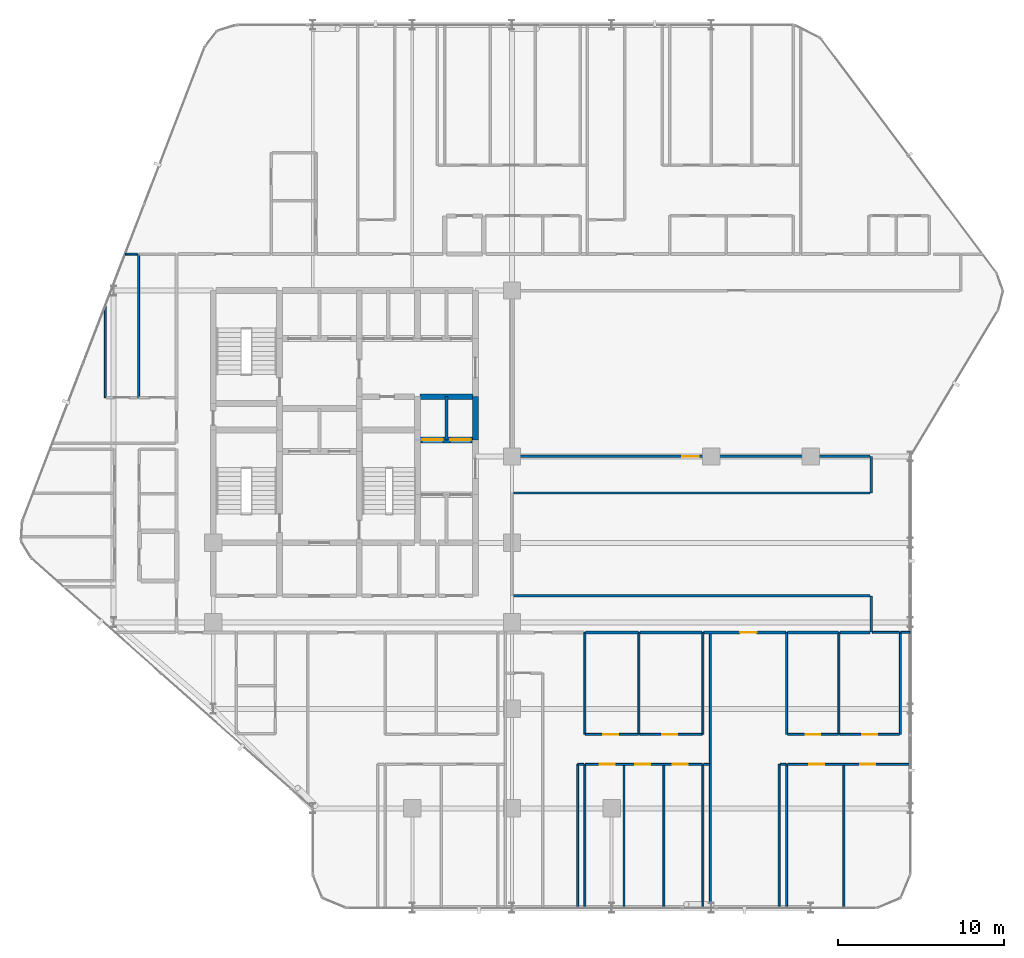
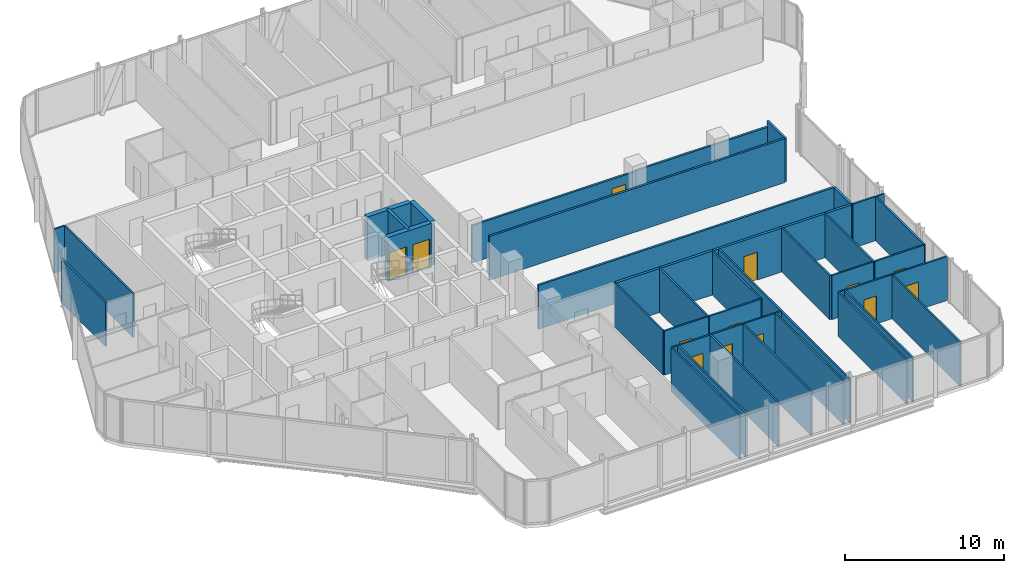
# One storey, part 25 of 29: 44 walls, 13 doors, 13 openings.
"""IFC4 building model written with IfcOpenShell, lengths in metres."""

from ifc_helpers import new_model, si_unit, direction, frame, frame_2d, origin, place, context, subcontext, project, spatial, rectangle, extrude, material, layer, layer_set, type_object, element, fill, save


model = new_model("IFC4")

# Units and contexts
model_context = context("Model", 3, precision=1e-05, world=origin(), true_north=direction((0.0, 1.0)))
body_context = subcontext(model_context, "Body", "Model", "MODEL_VIEW")
ifc_project = project(units=[si_unit("LENGTHUNIT", "METRE"), si_unit("AREAUNIT", "SQUARE_METRE"), si_unit("VOLUMEUNIT", "CUBIC_METRE"), si_unit("PLANEANGLEUNIT", "RADIAN"), si_unit("MASSUNIT", "GRAM", prefix="KILO")], contexts=[model_context])

# Site, building, storey
site_placement = place(None, origin())
site = spatial("IfcSite", under=ifc_project, at=site_placement, CompositionType="ELEMENT")
building_placement = place(site_placement, origin())
building = spatial("IfcBuilding", under=site, at=building_placement, Name="Keshet Zoharim Tower", CompositionType="ELEMENT")
storey_placement = place(building_placement, frame((0.0, 0.0, 102.0)))
storey = spatial("IfcBuildingStorey", under=building, at=storey_placement, Name="L24", CompositionType="ELEMENT", Elevation=102.0)

# Walls
ifc_material_1 = material(Name="Gypsum Plasterboard", Category="gypsum")
ifc_layer_1 = layer(ifc_material_1, 0.14990234375)
ifc_layer_set_1 = layer_set([ifc_layer_1], Name="Gypsum Plasterboard")
wall_type_1 = type_object("IfcWallType", Name="WL-CLIN-150", PredefinedType="STANDARD", material=ifc_layer_set_1)
wall_1_placement = place(storey_placement, frame((54.64990234375, 17.31005859375, 0.0), z_axis=(0.0, 0.0, 1.0), x_axis=(0.0, 1.0, 0.0)))
element("IfcWall", 1, at=wall_1_placement, inside=storey, type_object=wall_type_1, Name="L24 Interior Wall 111", PredefinedType="STANDARD", context=body_context, shape_type="SweptSolid", body=[
    extrude(rectangle(XDim=2.18994140625, YDim=0.14990234375, at=frame_2d((1.094970703125, 0.0))), origin(), (0.0, 0.0, 1.0), 3.385009765625),
])
wall_2_placement = place(storey_placement, frame((54.64990234375, 25.699951171875, 0.0), z_axis=(0.0, 0.0, 1.0), x_axis=(0.0, 1.0, 0.0)))
element("IfcWall", 2, at=wall_2_placement, inside=storey, type_object=wall_type_1, Name="L24 Interior Wall 112", PredefinedType="STANDARD", context=body_context, shape_type="SweptSolid", body=[
    extrude(rectangle(XDim=2.199951171875, YDim=0.14990234375, at=frame_2d((1.10009765625, 0.0))), origin(), (0.0, 0.0, 1.0), 3.385009765625),
])
for number, where, z_axis, x_axis, name in (
    (3, (33.070068359375, 19.5, 0.0), (0.0, 0.0, 1.0), (1.0, 0.0, 0.0), "L24 Interior Wall 153"),
    (4, (33.070068359375, 25.699951171875, 0.0), (0.0, 0.0, 1.0), (1.0, 0.0, 0.0), "L24 Interior Wall 167"),
):
    element("IfcWall", number, at=place(storey_placement, frame(where, z_axis=z_axis, x_axis=x_axis)), inside=storey, type_object=wall_type_1, Name=name, PredefinedType="STANDARD", context=body_context, shape_type="SweptSolid", body=[
        extrude(rectangle(XDim=21.510009765625, YDim=0.14990234375, at=frame_2d((10.7548828125, 0.0))), origin(), (0.0, 0.0, 1.0), 3.385009765625),
    ])

# Wall, opening, door
wall_3_placement = place(storey_placement, frame((33.070068359375, 27.89990234375, 0.0), z_axis=(0.0, 0.0, 1.0), x_axis=(1.0, 0.0, 0.0)))
wall_3 = element("IfcWall", 5, at=wall_3_placement, inside=storey, type_object=wall_type_1, Name="L24 Interior Wall 168", PredefinedType="STANDARD", context=body_context, shape_type="SweptSolid", body=[
    extrude(rectangle(XDim=11.929931640625, YDim=0.14990234375, at=frame_2d((5.96484375, 0.0))), origin(), (0.0, 0.0, 1.0), 2.885009765625),
])
opening_1_placement = place(wall_3_placement, frame((10.18505859375, 0.0, 0.0)))
opening_1 = element("IfcOpeningElement", 6, at=opening_1_placement, cuts=wall_3, Name="Opening D-F310", PredefinedType="OPENING", context=body_context, shape_type="SweptSolid", body=[
    extrude(rectangle(XDim=1.0, YDim=2.14990234375, at=frame_2d((0.5, 1.074951171875))), frame((0.0, 0.0849609375, 0.0), z_axis=(0.0, -1.0, 0.0), x_axis=(1.0, 0.0, 0.0)), (0.0, 0.0, 1.0), 0.169921875),
])
ifc_material_2 = material(Name="Hardwood Timber", Category="wood")
door_type_1 = type_object("IfcDoorType", Name="DR-FD30-100", OperationType="NOTDEFINED", PredefinedType="DOOR", material=ifc_material_2)
door_1_placement = place(opening_1_placement, origin())
door_1 = element("IfcDoor", 7, at=door_1_placement, inside=storey, type_object=door_type_1, Name="L24 North East Residents Services Suite Door 2", OperationType="SINGLE_SWING_RIGHT", OverallHeight=2.14990234375, OverallWidth=1.0, PredefinedType="DOOR", context=body_context, shape_type="SweptSolid", body=[
    extrude(rectangle(XDim=1.0, YDim=2.14990234375, at=frame_2d((0.5, 1.074951171875))), frame((0.0, 0.02490234375, 0.0), z_axis=(0.0, -1.0, 0.0), x_axis=(1.0, 0.0, 0.0)), (0.0, 0.0, 1.0), 0.050048828125),
])
fill(opening_1, door_1)

# Walls
wall_4_placement = place(storey_placement, frame((45.0, 27.89990234375, 0.0), z_axis=(0.0, 0.0, 1.0), x_axis=(1.0, 0.0, 0.0)))
element("IfcWall", 8, at=wall_4_placement, inside=storey, type_object=wall_type_1, Name="L24 Interior Wall 168 Part 2", PredefinedType="STANDARD", context=body_context, shape_type="SweptSolid", body=[
    extrude(rectangle(XDim=9.580078125, YDim=0.14990234375, at=frame_2d((4.7900390625, 0.0))), origin(), (0.0, 0.0, 1.0), 2.93505859375),
])
ifc_material_3 = material(Name="Concrete C60/75", Category="concrete")
ifc_layer_2 = layer(ifc_material_3, 0.35009765625)
ifc_layer_set_2 = layer_set([ifc_layer_2], Name="Concrete C60/75")
wall_type_2 = type_object("IfcWallType", Name="WL-CORE-350", PredefinedType="SHEAR", material=ifc_layer_set_2)
wall_5_placement = place(storey_placement, frame((30.800048828125, 28.89990234375, 0.0), z_axis=(0.0, 0.0, 1.0), x_axis=(0.0, 1.0, 0.0)))
element("IfcWall", 9, at=wall_5_placement, inside=storey, type_object=wall_type_2, Name="L24 Core Shear Wall 065", PredefinedType="SHEAR", context=body_context, shape_type="SweptSolid", body=[
    extrude(rectangle(XDim=2.60009765625, YDim=0.35009765625, at=frame_2d((1.300048828125, 0.0))), origin(), (0.0, 0.0, 1.0), 3.385009765625),
])

# Wall, openings, doors
wall_6_placement = place(storey_placement, frame((27.4599609375, 28.89990234375, 0.0), z_axis=(0.0, 0.0, 1.0), x_axis=(1.0, 0.0, 0.0)))
wall_6 = element("IfcWall", 10, at=wall_6_placement, inside=storey, type_object=wall_type_2, Name="L24 Core Shear Wall 174", PredefinedType="SHEAR", context=body_context, shape_type="SweptSolid", body=[
    extrude(rectangle(XDim=3.179931640625, YDim=0.35009765625, at=frame_2d((1.58984375, 0.0))), origin(), (0.0, 0.0, 1.0), 3.385009765625),
])
opening_2_placement = place(wall_6_placement, frame((0.1201171875, 0.0, 0.0)))
opening_2 = element("IfcOpeningElement", 11, at=opening_2_placement, cuts=wall_6, Name="Opening LD-01", PredefinedType="OPENING", context=body_context, shape_type="SweptSolid", body=[
    extrude(rectangle(XDim=1.25, YDim=2.199951171875, at=frame_2d((0.625, 1.10009765625))), frame((0.0, 0.18505859375, 0.0), z_axis=(0.0, -1.0, 0.0), x_axis=(1.0, 0.0, 0.0)), (0.0, 0.0, 1.0), 0.3701171875),
])
opening_3_placement = place(wall_6_placement, frame((1.81005859375, 0.0, 0.0)))
opening_3 = element("IfcOpeningElement", 12, at=opening_3_placement, cuts=wall_6, Name="Opening LD-01", PredefinedType="OPENING", context=body_context, shape_type="SweptSolid", body=[
    extrude(rectangle(XDim=1.25, YDim=2.199951171875, at=frame_2d((0.625, 1.10009765625))), frame((0.0, 0.18505859375, 0.0), z_axis=(0.0, -1.0, 0.0), x_axis=(1.0, 0.0, 0.0)), (0.0, 0.0, 1.0), 0.3701171875),
])
ifc_material_4 = material(Name="Steel S355", Category="steel")
door_type_2 = type_object("IfcDoorType", Name="DR-LD01-125", OperationType="DOUBLE_DOOR_SLIDING", PredefinedType="DOOR", material=ifc_material_4)
door_2_placement = place(opening_2_placement, origin())
door_2 = element("IfcDoor", 13, at=door_2_placement, inside=storey, type_object=door_type_2, Name="L24 Passenger Lift Landing Door LF-05", OperationType="DOUBLE_DOOR_SLIDING", OverallHeight=2.199951171875, OverallWidth=1.25, PredefinedType="DOOR", context=body_context, shape_type="SweptSolid", body=[
    extrude(rectangle(XDim=1.25, YDim=2.199951171875, at=frame_2d((0.625, 1.10009765625))), frame((0.0, 0.02490234375, 0.0), z_axis=(0.0, -1.0, 0.0), x_axis=(1.0, 0.0, 0.0)), (0.0, 0.0, 1.0), 0.050048828125),
])
fill(opening_2, door_2)
door_3_placement = place(opening_3_placement, origin())
door_3 = element("IfcDoor", 14, at=door_3_placement, inside=storey, type_object=door_type_2, Name="L24 Passenger Lift Landing Door LF-06", OperationType="DOUBLE_DOOR_SLIDING", OverallHeight=2.199951171875, OverallWidth=1.25, PredefinedType="DOOR", context=body_context, shape_type="SweptSolid", body=[
    extrude(rectangle(XDim=1.25, YDim=2.199951171875, at=frame_2d((0.625, 1.10009765625))), frame((0.0, 0.02490234375, 0.0), z_axis=(0.0, -1.0, 0.0), x_axis=(1.0, 0.0, 0.0)), (0.0, 0.0, 1.0), 0.050048828125),
])
fill(opening_3, door_3)

# Walls
wall_7_placement = place(storey_placement, frame((27.4599609375, 31.5, 0.0), z_axis=(0.0, 0.0, 1.0), x_axis=(1.0, 0.0, 0.0)))
element("IfcWall", 15, at=wall_7_placement, inside=storey, type_object=wall_type_2, Name="L24 Core Shear Wall 182", PredefinedType="SHEAR", context=body_context, shape_type="SweptSolid", body=[
    extrude(rectangle(XDim=3.179931640625, YDim=0.35009765625, at=frame_2d((1.58984375, 0.0))), origin(), (0.0, 0.0, 1.0), 3.385009765625),
])
ifc_layer_3 = layer(ifc_material_1, 0.179931640625)
ifc_layer_set_3 = layer_set([ifc_layer_3], Name="Gypsum Plasterboard")
wall_type_3 = type_object("IfcWallType", Name="WL-CORR-180", PredefinedType="STANDARD", material=ifc_layer_set_3)
wall_8_placement = place(storey_placement, frame((37.425048828125, 17.300048828125, 0.0), z_axis=(0.0, 0.0, 1.0), x_axis=(1.0, 0.0, 0.0)))
element("IfcWall", 16, at=wall_8_placement, inside=storey, type_object=wall_type_3, Name="L24 Interior Wall 142", PredefinedType="STANDARD", context=body_context, shape_type="SweptSolid", body=[
    extrude(rectangle(XDim=3.18994140625, YDim=0.179931640625, at=frame_2d((1.594970703125, 0.0))), origin(), (0.0, 0.0, 1.0), 3.385009765625),
])
wall_9_placement = place(storey_placement, frame((40.705078125, 17.300048828125, 0.0), z_axis=(0.0, 0.0, 1.0), x_axis=(1.0, 0.0, 0.0)))
element("IfcWall", 17, at=wall_9_placement, inside=storey, type_object=wall_type_3, Name="L24 Interior Wall 143", PredefinedType="STANDARD", context=body_context, shape_type="SweptSolid", body=[
    extrude(rectangle(XDim=3.760009765625, YDim=0.179931640625, at=frame_2d((1.8798828125, 0.0))), origin(), (0.0, 0.0, 1.0), 3.385009765625),
])

# Wall, opening, door
wall_10_placement = place(storey_placement, frame((44.554931640625, 17.300048828125, 0.0), z_axis=(0.0, 0.0, 1.0), x_axis=(1.0, 0.0, 0.0)))
wall_10 = element("IfcWall", 18, at=wall_10_placement, inside=storey, type_object=wall_type_3, Name="L24 Interior Wall 144", PredefinedType="STANDARD", context=body_context, shape_type="SweptSolid", body=[
    extrude(rectangle(XDim=4.969970703125, YDim=0.179931640625, at=frame_2d((2.48486328125, 0.0))), origin(), (0.0, 0.0, 1.0), 3.385009765625),
])
opening_4_placement = place(wall_10_placement, frame((2.18505859375, 0.0, 0.0)))
opening_4 = element("IfcOpeningElement", 19, at=opening_4_placement, cuts=wall_10, Name="Opening D-F310", PredefinedType="OPENING", context=body_context, shape_type="SweptSolid", body=[
    extrude(rectangle(XDim=1.0, YDim=2.14990234375, at=frame_2d((0.5, 1.074951171875))), frame((0.0, 0.10009765625, 0.0), z_axis=(0.0, -1.0, 0.0), x_axis=(1.0, 0.0, 0.0)), (0.0, 0.0, 1.0), 0.199951171875),
])
door_4_placement = place(opening_4_placement, origin())
door_4 = element("IfcDoor", 20, at=door_4_placement, inside=storey, type_object=door_type_1, Name="Apartment 2404 Entrance Door", OperationType="SINGLE_SWING_LEFT", OverallHeight=2.14990234375, OverallWidth=1.0, PredefinedType="DOOR", context=body_context, shape_type="SweptSolid", body=[
    extrude(rectangle(XDim=1.0, YDim=2.14990234375, at=frame_2d((0.5, 1.074951171875))), frame((0.0, 0.02490234375, 0.0), z_axis=(0.0, -1.0, 0.0), x_axis=(1.0, 0.0, 0.0)), (0.0, 0.0, 1.0), 0.050048828125),
])
fill(opening_4, door_4)

# Walls
wall_11_placement = place(storey_placement, frame((49.614990234375, 17.300048828125, 0.0), z_axis=(0.0, 0.0, 1.0), x_axis=(1.0, 0.0, 0.0)))
element("IfcWall", 21, at=wall_11_placement, inside=storey, type_object=wall_type_3, Name="L24 Interior Wall 145", PredefinedType="STANDARD", context=body_context, shape_type="SweptSolid", body=[
    extrude(rectangle(XDim=3.047119140625, YDim=0.179931640625, at=frame_2d((1.5234375, 0.0))), origin(), (0.0, 0.0, 1.0), 3.385009765625),
])
wall_12_placement = place(storey_placement, frame((52.751953125, 17.300048828125, 0.0), z_axis=(0.0, 0.0, 1.0), x_axis=(1.0, 0.0, 0.0)))
element("IfcWall", 22, at=wall_12_placement, inside=storey, type_object=wall_type_3, Name="L24 Interior Wall 146", PredefinedType="STANDARD", context=body_context, shape_type="SweptSolid", body=[
    extrude(rectangle(XDim=1.828125, YDim=0.179931640625, at=frame_2d((0.9140625, 0.0))), origin(), (0.0, 0.0, 1.0), 3.385009765625),
])
ifc_material_5 = material(Name="Concrete C50/60", Category="concrete")
ifc_layer_4 = layer(ifc_material_5, 0.199951171875)
ifc_layer_set_4 = layer_set([ifc_layer_4], Name="Concrete C50/60")
wall_type_4 = type_object("IfcWallType", Name="WL-FIRE-200", PredefinedType="STANDARD", material=ifc_layer_set_4)
wall_13_placement = place(storey_placement, frame((29.050048828125, 28.89990234375, 0.0), z_axis=(0.0, 0.0, 1.0), x_axis=(0.0, 1.0, 0.0)))
element("IfcWall", 23, at=wall_13_placement, inside=storey, type_object=wall_type_4, Name="L24 Interior Wall 060", PredefinedType="STANDARD", context=body_context, shape_type="SweptSolid", body=[
    extrude(rectangle(XDim=2.60009765625, YDim=0.199951171875, at=frame_2d((1.300048828125, 0.0))), origin(), (0.0, 0.0, 1.0), 3.385009765625),
])
ifc_layer_5 = layer(ifc_material_1, 0.1201171875)
ifc_layer_set_5 = layer_set([ifc_layer_5], Name="Gypsum Plasterboard")
wall_type_5 = type_object("IfcWallType", Name="WL-PART-120", PredefinedType="PARTITIONING", material=ifc_layer_set_5)
wall_14_placement = place(storey_placement, frame((8.5, 31.449951171875, 0.0), z_axis=(0.0, 0.0, 1.0), x_axis=(0.0, 1.0, 0.0)))
element("IfcWall", 24, at=wall_14_placement, inside=storey, type_object=wall_type_5, Name="L24 Interior Wall 001", PredefinedType="PARTITIONING", context=body_context, shape_type="SweptSolid", body=[
    extrude(rectangle(XDim=5.5400390625, YDim=0.1201171875, at=frame_2d((2.77001953125, 0.0))), origin(), (0.0, 0.0, 1.0), 3.385009765625),
])
for number, where, z_axis, x_axis, name in (
    (25, (36.949951171875, 0.7099609375, 0.0), (0.0, 0.0, 1.0), (0.0, 1.0, 0.0), "L24 Interior Wall 080"),
    (26, (37.39990234375, 0.7099609375, 0.0), (0.0, 0.0, 1.0), (0.0, 1.0, 0.0), "L24 Interior Wall 083"),
):
    element("IfcWall", number, at=place(storey_placement, frame(where, z_axis=z_axis, x_axis=x_axis)), inside=storey, type_object=wall_type_5, Name=name, PredefinedType="PARTITIONING", context=body_context, shape_type="SweptSolid", body=[
        extrude(rectangle(XDim=8.64013671875, YDim=0.1201171875, at=frame_2d((4.320068359375, 0.0))), origin(), (0.0, 0.0, 1.0), 3.385009765625),
    ])
wall_15_placement = place(storey_placement, frame((37.39990234375, 11.14990234375, 0.0), z_axis=(0.0, 0.0, 1.0), x_axis=(0.0, 1.0, 0.0)))
element("IfcWall", 27, at=wall_15_placement, inside=storey, type_object=wall_type_5, Name="L24 Interior Wall 084", PredefinedType="PARTITIONING", context=body_context, shape_type="SweptSolid", body=[
    extrude(rectangle(XDim=6.150146484375, YDim=0.1201171875, at=frame_2d((3.0751953125, 0.0))), origin(), (0.0, 0.0, 1.0), 3.385009765625),
])
for number, where, z_axis, x_axis, name in (
    (28, (39.75, 0.7099609375, 0.0), (0.0, 0.0, 1.0), (0.0, 1.0, 0.0), "L24 Interior Wall 088"),
    (29, (42.14990234375, 0.7099609375, 0.0), (0.0, 0.0, 1.0), (0.0, 1.0, 0.0), "L24 Interior Wall 092"),
    (30, (44.5, 0.7099609375, 0.0), (0.0, 0.0, 1.0), (0.0, 1.0, 0.0), "L24 Interior Wall 095"),
):
    element("IfcWall", number, at=place(storey_placement, frame(where, z_axis=z_axis, x_axis=x_axis)), inside=storey, type_object=wall_type_5, Name=name, PredefinedType="PARTITIONING", context=body_context, shape_type="SweptSolid", body=[
        extrude(rectangle(XDim=8.64013671875, YDim=0.1201171875, at=frame_2d((4.320068359375, 0.0))), origin(), (0.0, 0.0, 1.0), 3.385009765625),
    ])
wall_16_placement = place(storey_placement, frame((44.949951171875, 0.7099609375, 0.0), z_axis=(0.0, 0.0, 1.0), x_axis=(0.0, 1.0, 0.0)))
element("IfcWall", 31, at=wall_16_placement, inside=storey, type_object=wall_type_5, Name="L24 Interior Wall 097", PredefinedType="PARTITIONING", context=body_context, shape_type="SweptSolid", body=[
    extrude(rectangle(XDim=16.590087890625, YDim=0.1201171875, at=frame_2d((8.294921875, 0.0))), origin(), (0.0, 0.0, 1.0), 3.385009765625),
])
for number, where, z_axis, x_axis, name in (
    (32, (49.10009765625, 0.7099609375, 0.0), (0.0, 0.0, 1.0), (0.0, 1.0, 0.0), "L24 Interior Wall 101"),
    (33, (49.550048828125, 0.7099609375, 0.0), (0.0, 0.0, 1.0), (0.0, 1.0, 0.0), "L24 Interior Wall 102"),
):
    element("IfcWall", number, at=place(storey_placement, frame(where, z_axis=z_axis, x_axis=x_axis)), inside=storey, type_object=wall_type_5, Name=name, PredefinedType="PARTITIONING", context=body_context, shape_type="SweptSolid", body=[
        extrude(rectangle(XDim=8.64013671875, YDim=0.1201171875, at=frame_2d((4.320068359375, 0.0))), origin(), (0.0, 0.0, 1.0), 3.385009765625),
    ])
wall_17_placement = place(storey_placement, frame((49.550048828125, 11.14990234375, 0.0), z_axis=(0.0, 0.0, 1.0), x_axis=(0.0, 1.0, 0.0)))
element("IfcWall", 34, at=wall_17_placement, inside=storey, type_object=wall_type_5, Name="L24 Interior Wall 103", PredefinedType="PARTITIONING", context=body_context, shape_type="SweptSolid", body=[
    extrude(rectangle(XDim=6.150146484375, YDim=0.1201171875, at=frame_2d((3.0751953125, 0.0))), origin(), (0.0, 0.0, 1.0), 3.385009765625),
])
wall_18_placement = place(storey_placement, frame((53.0, 0.7099609375, 0.0), z_axis=(0.0, 0.0, 1.0), x_axis=(0.0, 1.0, 0.0)))
element("IfcWall", 35, at=wall_18_placement, inside=storey, type_object=wall_type_5, Name="L24 Interior Wall 109", PredefinedType="PARTITIONING", context=body_context, shape_type="SweptSolid", body=[
    extrude(rectangle(XDim=8.64013671875, YDim=0.1201171875, at=frame_2d((4.320068359375, 0.0))), origin(), (0.0, 0.0, 1.0), 3.385009765625),
])
wall_19_placement = place(storey_placement, frame((36.97509765625, 9.35009765625, 0.0), z_axis=(0.0, 0.0, 1.0), x_axis=(1.0, 0.0, 0.0)))
element("IfcWall", 36, at=wall_19_placement, inside=storey, type_object=wall_type_5, Name="L24 Interior Wall 120", PredefinedType="PARTITIONING", context=body_context, shape_type="SweptSolid", body=[
    extrude(rectangle(XDim=0.35986328125, YDim=0.1201171875, at=frame_2d((0.179931640625, 0.0))), origin(), (0.0, 0.0, 1.0), 3.385009765625),
])

# Wall, openings, doors
wall_20_placement = place(storey_placement, frame((37.425048828125, 9.35009765625, 0.0), z_axis=(0.0, 0.0, 1.0), x_axis=(1.0, 0.0, 0.0)))
wall_20 = element("IfcWall", 37, at=wall_20_placement, inside=storey, type_object=wall_type_5, Name="L24 Interior Wall 121", PredefinedType="PARTITIONING", context=body_context, shape_type="SweptSolid", body=[
    extrude(rectangle(XDim=7.0400390625, YDim=0.1201171875, at=frame_2d((3.52001953125, 0.0))), origin(), (0.0, 0.0, 1.0), 3.385009765625),
])
opening_5_placement = place(wall_20_placement, frame((0.867919921875, 0.0, 0.0)))
opening_5 = element("IfcOpeningElement", 38, at=opening_5_placement, cuts=wall_20, Name="Opening D-IN90", PredefinedType="OPENING", context=body_context, shape_type="SweptSolid", body=[
    extrude(rectangle(XDim=0.89990234375, YDim=2.14990234375, at=frame_2d((0.449951171875, 1.074951171875))), frame((0.0, 0.070068359375, 0.0), z_axis=(0.0, -1.0, 0.0), x_axis=(1.0, 0.0, 0.0)), (0.0, 0.0, 1.0), 0.14013671875),
])
opening_6_placement = place(wall_20_placement, frame((2.9990234375, 0.0, 0.0)))
opening_6 = element("IfcOpeningElement", 39, at=opening_6_placement, cuts=wall_20, Name="Opening D-IN90", PredefinedType="OPENING", context=body_context, shape_type="SweptSolid", body=[
    extrude(rectangle(XDim=0.89990234375, YDim=2.14990234375, at=frame_2d((0.449951171875, 1.074951171875))), frame((0.0, 0.070068359375, 0.0), z_axis=(0.0, -1.0, 0.0), x_axis=(1.0, 0.0, 0.0)), (0.0, 0.0, 1.0), 0.14013671875),
])
opening_7_placement = place(wall_20_placement, frame((5.27197265625, 0.0, 0.0)))
opening_7 = element("IfcOpeningElement", 40, at=opening_7_placement, cuts=wall_20, Name="Opening D-IN90", PredefinedType="OPENING", context=body_context, shape_type="SweptSolid", body=[
    extrude(rectangle(XDim=0.89990234375, YDim=2.14990234375, at=frame_2d((0.449951171875, 1.074951171875))), frame((0.0, 0.070068359375, 0.0), z_axis=(0.0, -1.0, 0.0), x_axis=(1.0, 0.0, 0.0)), (0.0, 0.0, 1.0), 0.14013671875),
])
door_type_3 = type_object("IfcDoorType", Name="DR-INT-090", OperationType="NOTDEFINED", PredefinedType="DOOR", material=ifc_material_2)
door_5_placement = place(opening_5_placement, origin())
door_5 = element("IfcDoor", 41, at=door_5_placement, inside=storey, type_object=door_type_3, Name="Apartment 2403 Bedroom 1 Door", OperationType="SINGLE_SWING_RIGHT", OverallHeight=2.14990234375, OverallWidth=0.89990234375, PredefinedType="DOOR", context=body_context, shape_type="SweptSolid", body=[
    extrude(rectangle(XDim=0.89990234375, YDim=2.14990234375, at=frame_2d((0.449951171875, 1.074951171875))), frame((0.0, 0.02490234375, 0.0), z_axis=(0.0, -1.0, 0.0), x_axis=(1.0, 0.0, 0.0)), (0.0, 0.0, 1.0), 0.050048828125),
])
fill(opening_5, door_5)
door_6_placement = place(opening_6_placement, origin())
door_6 = element("IfcDoor", 42, at=door_6_placement, inside=storey, type_object=door_type_3, Name="Apartment 2403 Bedroom 2 Door", OperationType="SINGLE_SWING_LEFT", OverallHeight=2.14990234375, OverallWidth=0.89990234375, PredefinedType="DOOR", context=body_context, shape_type="SweptSolid", body=[
    extrude(rectangle(XDim=0.89990234375, YDim=2.14990234375, at=frame_2d((0.449951171875, 1.074951171875))), frame((0.0, 0.02490234375, 0.0), z_axis=(0.0, -1.0, 0.0), x_axis=(1.0, 0.0, 0.0)), (0.0, 0.0, 1.0), 0.050048828125),
])
fill(opening_6, door_6)
door_7_placement = place(opening_7_placement, origin())
door_7 = element("IfcDoor", 43, at=door_7_placement, inside=storey, type_object=door_type_3, Name="Apartment 2403 Bedroom 3 Door", OperationType="SINGLE_SWING_RIGHT", OverallHeight=2.14990234375, OverallWidth=0.89990234375, PredefinedType="DOOR", context=body_context, shape_type="SweptSolid", body=[
    extrude(rectangle(XDim=0.89990234375, YDim=2.14990234375, at=frame_2d((0.449951171875, 1.074951171875))), frame((0.0, 0.02490234375, 0.0), z_axis=(0.0, -1.0, 0.0), x_axis=(1.0, 0.0, 0.0)), (0.0, 0.0, 1.0), 0.050048828125),
])
fill(opening_7, door_7)

# Walls
wall_21_placement = place(storey_placement, frame((44.554931640625, 9.35009765625, 0.0), z_axis=(0.0, 0.0, 1.0), x_axis=(1.0, 0.0, 0.0)))
element("IfcWall", 44, at=wall_21_placement, inside=storey, type_object=wall_type_5, Name="L24 Interior Wall 122", PredefinedType="PARTITIONING", context=body_context, shape_type="SweptSolid", body=[
    extrude(rectangle(XDim=0.360107421875, YDim=0.1201171875, at=frame_2d((0.18017578125, 0.0))), origin(), (0.0, 0.0, 1.0), 3.385009765625),
])
wall_22_placement = place(storey_placement, frame((49.1650390625, 9.35009765625, 0.0), z_axis=(0.0, 0.0, 1.0), x_axis=(1.0, 0.0, 0.0)))
element("IfcWall", 45, at=wall_22_placement, inside=storey, type_object=wall_type_5, Name="L24 Interior Wall 123", PredefinedType="PARTITIONING", context=body_context, shape_type="SweptSolid", body=[
    extrude(rectangle(XDim=0.35986328125, YDim=0.1201171875, at=frame_2d((0.179931640625, 0.0))), origin(), (0.0, 0.0, 1.0), 3.385009765625),
])

# Wall, openings, doors
wall_23_placement = place(storey_placement, frame((49.614990234375, 9.35009765625, 0.0), z_axis=(0.0, 0.0, 1.0), x_axis=(1.0, 0.0, 0.0)))
wall_23 = element("IfcWall", 46, at=wall_23_placement, inside=storey, type_object=wall_type_5, Name="L24 Interior Wall 124", PredefinedType="PARTITIONING", context=body_context, shape_type="SweptSolid", body=[
    extrude(rectangle(XDim=7.375, YDim=0.1201171875, at=frame_2d((3.6875, 0.0))), origin(), (0.0, 0.0, 1.0), 3.385009765625),
])
opening_8_placement = place(wall_23_placement, frame((1.31005859375, 0.0, 0.0)))
opening_8 = element("IfcOpeningElement", 47, at=opening_8_placement, cuts=wall_23, Name="Opening D-IN90", PredefinedType="OPENING", context=body_context, shape_type="SweptSolid", body=[
    extrude(rectangle(XDim=0.89990234375, YDim=2.14990234375, at=frame_2d((0.449951171875, 1.074951171875))), frame((0.0, 0.070068359375, 0.0), z_axis=(0.0, -1.0, 0.0), x_axis=(1.0, 0.0, 0.0)), (0.0, 0.0, 1.0), 0.14013671875),
])
opening_9_placement = place(wall_23_placement, frame((4.3701171875, 0.0, 0.0)))
opening_9 = element("IfcOpeningElement", 48, at=opening_9_placement, cuts=wall_23, Name="Opening D-IN90", PredefinedType="OPENING", context=body_context, shape_type="SweptSolid", body=[
    extrude(rectangle(XDim=0.89990234375, YDim=2.14990234375, at=frame_2d((0.449951171875, 1.074951171875))), frame((0.0, 0.070068359375, 0.0), z_axis=(0.0, -1.0, 0.0), x_axis=(1.0, 0.0, 0.0)), (0.0, 0.0, 1.0), 0.14013671875),
])
door_8_placement = place(opening_8_placement, origin())
door_8 = element("IfcDoor", 49, at=door_8_placement, inside=storey, type_object=door_type_3, Name="Apartment 2404 Bedroom 1 Door", OperationType="SINGLE_SWING_LEFT", OverallHeight=2.14990234375, OverallWidth=0.89990234375, PredefinedType="DOOR", context=body_context, shape_type="SweptSolid", body=[
    extrude(rectangle(XDim=0.89990234375, YDim=2.14990234375, at=frame_2d((0.449951171875, 1.074951171875))), frame((0.0, 0.02490234375, 0.0), z_axis=(0.0, -1.0, 0.0), x_axis=(1.0, 0.0, 0.0)), (0.0, 0.0, 1.0), 0.050048828125),
])
fill(opening_8, door_8)
door_9_placement = place(opening_9_placement, origin())
door_9 = element("IfcDoor", 50, at=door_9_placement, inside=storey, type_object=door_type_3, Name="Apartment 2404 Bedroom 2 Door", OperationType="SINGLE_SWING_RIGHT", OverallHeight=2.14990234375, OverallWidth=0.89990234375, PredefinedType="DOOR", context=body_context, shape_type="SweptSolid", body=[
    extrude(rectangle(XDim=0.89990234375, YDim=2.14990234375, at=frame_2d((0.449951171875, 1.074951171875))), frame((0.0, 0.02490234375, 0.0), z_axis=(0.0, -1.0, 0.0), x_axis=(1.0, 0.0, 0.0)), (0.0, 0.0, 1.0), 0.050048828125),
])
fill(opening_9, door_9)

# Wall, opening, door
wall_24_placement = place(storey_placement, frame((37.425048828125, 11.14990234375, 0.0), z_axis=(0.0, 0.0, 1.0), x_axis=(1.0, 0.0, 0.0)))
wall_24 = element("IfcWall", 51, at=wall_24_placement, inside=storey, type_object=wall_type_5, Name="L24 Interior Wall 127", PredefinedType="PARTITIONING", context=body_context, shape_type="SweptSolid", body=[
    extrude(rectangle(XDim=3.18994140625, YDim=0.1201171875, at=frame_2d((1.594970703125, 0.0))), origin(), (0.0, 0.0, 1.0), 3.385009765625),
])
opening_10_placement = place(wall_24_placement, frame((1.072998046875, 0.0, 0.0)))
opening_10 = element("IfcOpeningElement", 52, at=opening_10_placement, cuts=wall_24, Name="Opening D-IN90", PredefinedType="OPENING", context=body_context, shape_type="SweptSolid", body=[
    extrude(rectangle(XDim=0.89990234375, YDim=2.14990234375, at=frame_2d((0.449951171875, 1.074951171875))), frame((0.0, 0.070068359375, 0.0), z_axis=(0.0, -1.0, 0.0), x_axis=(1.0, 0.0, 0.0)), (0.0, 0.0, 1.0), 0.14013671875),
])
door_10_placement = place(opening_10_placement, origin())
door_10 = element("IfcDoor", 53, at=door_10_placement, inside=storey, type_object=door_type_3, Name="Apartment 2403 Kitchen Door", OperationType="SINGLE_SWING_LEFT", OverallHeight=2.14990234375, OverallWidth=0.89990234375, PredefinedType="DOOR", context=body_context, shape_type="SweptSolid", body=[
    extrude(rectangle(XDim=0.89990234375, YDim=2.14990234375, at=frame_2d((0.449951171875, 1.074951171875))), frame((0.0, 0.02490234375, 0.0), z_axis=(0.0, -1.0, 0.0), x_axis=(1.0, 0.0, 0.0)), (0.0, 0.0, 1.0), 0.050048828125),
])
fill(opening_10, door_10)

wall_25_placement = place(storey_placement, frame((49.614990234375, 11.14990234375, 0.0), z_axis=(0.0, 0.0, 1.0), x_axis=(1.0, 0.0, 0.0)))
wall_25 = element("IfcWall", 54, at=wall_25_placement, inside=storey, type_object=wall_type_5, Name="L24 Interior Wall 129", PredefinedType="PARTITIONING", context=body_context, shape_type="SweptSolid", body=[
    extrude(rectangle(XDim=3.047119140625, YDim=0.1201171875, at=frame_2d((1.5234375, 0.0))), origin(), (0.0, 0.0, 1.0), 3.385009765625),
])
opening_11_placement = place(wall_25_placement, frame((1.073974609375, 0.0, 0.0)))
opening_11 = element("IfcOpeningElement", 55, at=opening_11_placement, cuts=wall_25, Name="Opening D-IN90", PredefinedType="OPENING", context=body_context, shape_type="SweptSolid", body=[
    extrude(rectangle(XDim=0.89990234375, YDim=2.14990234375, at=frame_2d((0.449951171875, 1.074951171875))), frame((0.0, 0.070068359375, 0.0), z_axis=(0.0, -1.0, 0.0), x_axis=(1.0, 0.0, 0.0)), (0.0, 0.0, 1.0), 0.14013671875),
])
door_11_placement = place(opening_11_placement, origin())
door_11 = element("IfcDoor", 56, at=door_11_placement, inside=storey, type_object=door_type_3, Name="Apartment 2404 Kitchen Door", OperationType="SINGLE_SWING_LEFT", OverallHeight=2.14990234375, OverallWidth=0.89990234375, PredefinedType="DOOR", context=body_context, shape_type="SweptSolid", body=[
    extrude(rectangle(XDim=0.89990234375, YDim=2.14990234375, at=frame_2d((0.449951171875, 1.074951171875))), frame((0.0, 0.02490234375, 0.0), z_axis=(0.0, -1.0, 0.0), x_axis=(1.0, 0.0, 0.0)), (0.0, 0.0, 1.0), 0.050048828125),
])
fill(opening_11, door_11)

# Walls
wall_26_placement = place(storey_placement, frame((56.43505859375, 17.300048828125, 0.0), z_axis=(0.0, 0.0, 1.0), x_axis=(1.0, 0.0, 0.0)))
element("IfcWall", 57, at=wall_26_placement, inside=storey, type_object=wall_type_5, Name="L24 Interior Wall 148", PredefinedType="PARTITIONING", context=body_context, shape_type="SweptSolid", body=[
    extrude(rectangle(XDim=0.554931640625, YDim=0.1201171875, at=frame_2d((0.27734375, 0.0))), origin(), (0.0, 0.0, 1.0), 3.385009765625),
])
wall_27_placement = place(storey_placement, frame((9.701904296875, 40.10009765625, 0.0), z_axis=(0.0, 0.0, 1.0), x_axis=(1.0, 0.0, 0.0)))
element("IfcWall", 58, at=wall_27_placement, inside=storey, type_object=wall_type_5, Name="L24 Interior Wall 187", PredefinedType="PARTITIONING", context=body_context, shape_type="SweptSolid", body=[
    extrude(rectangle(XDim=0.731201171875, YDim=0.1201171875, at=frame_2d((0.36572265625, 0.0))), origin(), (0.0, 0.0, 1.0), 3.385009765625),
])
ifc_layer_6 = layer(ifc_material_1, 0.1201171875)
ifc_layer_set_6 = layer_set([ifc_layer_6], Name="Gypsum Plasterboard")
wall_type_6 = type_object("IfcWallType", Name="WL-WET-120", PredefinedType="PARTITIONING", material=ifc_layer_set_6)
wall_28_placement = place(storey_placement, frame((10.5, 31.449951171875, 0.0), z_axis=(0.0, 0.0, 1.0), x_axis=(0.0, 1.0, 0.0)))
element("IfcWall", 59, at=wall_28_placement, inside=storey, type_object=wall_type_6, Name="L24 Interior Wall 003", PredefinedType="PARTITIONING", context=body_context, shape_type="SweptSolid", body=[
    extrude(rectangle(XDim=8.650146484375, YDim=0.1201171875, at=frame_2d((4.3251953125, 0.0))), origin(), (0.0, 0.0, 1.0), 3.385009765625),
])
for number, where, z_axis, x_axis, name in (
    (60, (40.64990234375, 11.14990234375, 0.0), (0.0, 0.0, 1.0), (0.0, 1.0, 0.0), "L24 Interior Wall 090"),
    (61, (44.5, 11.14990234375, 0.0), (0.0, 0.0, 1.0), (0.0, 1.0, 0.0), "L24 Interior Wall 096"),
    (62, (52.699951171875, 11.14990234375, 0.0), (0.0, 0.0, 1.0), (0.0, 1.0, 0.0), "L24 Interior Wall 108"),
    (63, (56.39990234375, 11.14990234375, 0.0), (0.0, 0.0, 1.0), (0.0, 1.0, 0.0), "L24 Interior Wall 114"),
):
    element("IfcWall", number, at=place(storey_placement, frame(where, z_axis=z_axis, x_axis=x_axis)), inside=storey, type_object=wall_type_6, Name=name, PredefinedType="PARTITIONING", context=body_context, shape_type="SweptSolid", body=[
        extrude(rectangle(XDim=6.150146484375, YDim=0.1201171875, at=frame_2d((3.0751953125, 0.0))), origin(), (0.0, 0.0, 1.0), 3.385009765625),
    ])

# Wall, opening, door
wall_29_placement = place(storey_placement, frame((40.705078125, 11.14990234375, 0.0), z_axis=(0.0, 0.0, 1.0), x_axis=(1.0, 0.0, 0.0)))
wall_29 = element("IfcWall", 64, at=wall_29_placement, inside=storey, type_object=wall_type_6, Name="L24 Interior Wall 128", PredefinedType="PARTITIONING", context=body_context, shape_type="SweptSolid", body=[
    extrude(rectangle(XDim=3.760009765625, YDim=0.1201171875, at=frame_2d((1.8798828125, 0.0))), origin(), (0.0, 0.0, 1.0), 3.385009765625),
])
opening_12_placement = place(wall_29_placement, frame((1.35791015625, 0.0, 0.0)))
opening_12 = element("IfcOpeningElement", 65, at=opening_12_placement, cuts=wall_29, Name="Opening D-WT90", PredefinedType="OPENING", context=body_context, shape_type="SweptSolid", body=[
    extrude(rectangle(XDim=0.89990234375, YDim=2.10009765625, at=frame_2d((0.449951171875, 1.050048828125))), frame((0.0, 0.070068359375, 0.0), z_axis=(0.0, -1.0, 0.0), x_axis=(1.0, 0.0, 0.0)), (0.0, 0.0, 1.0), 0.14013671875),
])
door_type_4 = type_object("IfcDoorType", Name="DR-WET-090", OperationType="NOTDEFINED", PredefinedType="DOOR", material=ifc_material_2)
door_12_placement = place(opening_12_placement, origin())
door_12 = element("IfcDoor", 66, at=door_12_placement, inside=storey, type_object=door_type_4, Name="Apartment 2403 Bathroom Door", OperationType="SINGLE_SWING_RIGHT", OverallHeight=2.10009765625, OverallWidth=0.89990234375, PredefinedType="DOOR", context=body_context, shape_type="SweptSolid", body=[
    extrude(rectangle(XDim=0.89990234375, YDim=2.10009765625, at=frame_2d((0.449951171875, 1.050048828125))), frame((0.0, 0.02490234375, 0.0), z_axis=(0.0, -1.0, 0.0), x_axis=(1.0, 0.0, 0.0)), (0.0, 0.0, 1.0), 0.050048828125),
])
fill(opening_12, door_12)

wall_30_placement = place(storey_placement, frame((52.751953125, 11.14990234375, 0.0), z_axis=(0.0, 0.0, 1.0), x_axis=(1.0, 0.0, 0.0)))
wall_30 = element("IfcWall", 67, at=wall_30_placement, inside=storey, type_object=wall_type_6, Name="L24 Interior Wall 130", PredefinedType="PARTITIONING", context=body_context, shape_type="SweptSolid", body=[
    extrude(rectangle(XDim=3.593017578125, YDim=0.1201171875, at=frame_2d((1.79638671875, 0.0))), origin(), (0.0, 0.0, 1.0), 3.385009765625),
])
opening_13_placement = place(wall_30_placement, frame((1.346923828125, 0.0, 0.0)))
opening_13 = element("IfcOpeningElement", 68, at=opening_13_placement, cuts=wall_30, Name="Opening D-WT90", PredefinedType="OPENING", context=body_context, shape_type="SweptSolid", body=[
    extrude(rectangle(XDim=0.89990234375, YDim=2.10009765625, at=frame_2d((0.449951171875, 1.050048828125))), frame((0.0, 0.070068359375, 0.0), z_axis=(0.0, -1.0, 0.0), x_axis=(1.0, 0.0, 0.0)), (0.0, 0.0, 1.0), 0.14013671875),
])
door_13_placement = place(opening_13_placement, origin())
door_13 = element("IfcDoor", 69, at=door_13_placement, inside=storey, type_object=door_type_4, Name="Apartment 2404 Bathroom Door", OperationType="SINGLE_SWING_RIGHT", OverallHeight=2.10009765625, OverallWidth=0.89990234375, PredefinedType="DOOR", context=body_context, shape_type="SweptSolid", body=[
    extrude(rectangle(XDim=0.89990234375, YDim=2.10009765625, at=frame_2d((0.449951171875, 1.050048828125))), frame((0.0, 0.02490234375, 0.0), z_axis=(0.0, -1.0, 0.0), x_axis=(1.0, 0.0, 0.0)), (0.0, 0.0, 1.0), 0.050048828125),
])
fill(opening_13, door_13)

# Wall
wall_31_placement = place(storey_placement, frame((54.7099609375, 17.300048828125, 0.0), z_axis=(0.0, 0.0, 1.0), x_axis=(1.0, 0.0, 0.0)))
element("IfcWall", 70, at=wall_31_placement, inside=storey, type_object=wall_type_6, Name="L24 Interior Wall 147", PredefinedType="PARTITIONING", context=body_context, shape_type="SweptSolid", body=[
    extrude(rectangle(XDim=1.635009765625, YDim=0.1201171875, at=frame_2d((0.8173828125, 0.0))), origin(), (0.0, 0.0, 1.0), 3.385009765625),
])

save(model, "model.ifc")
